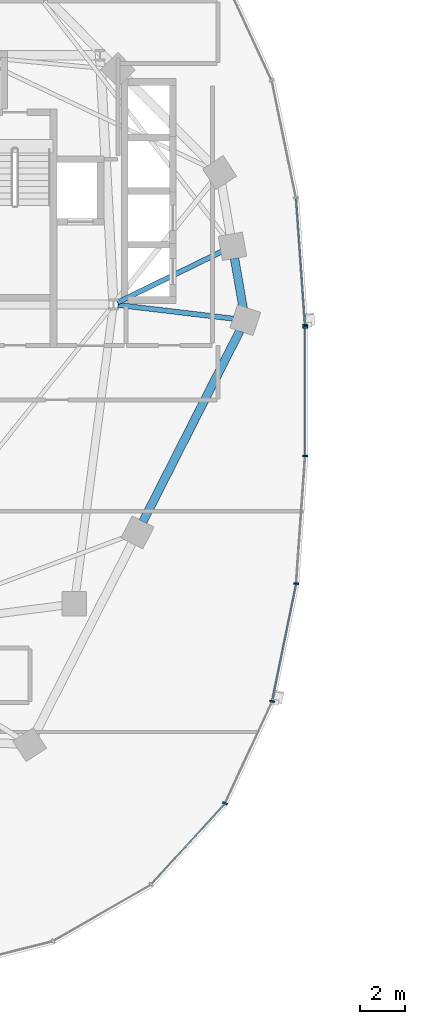
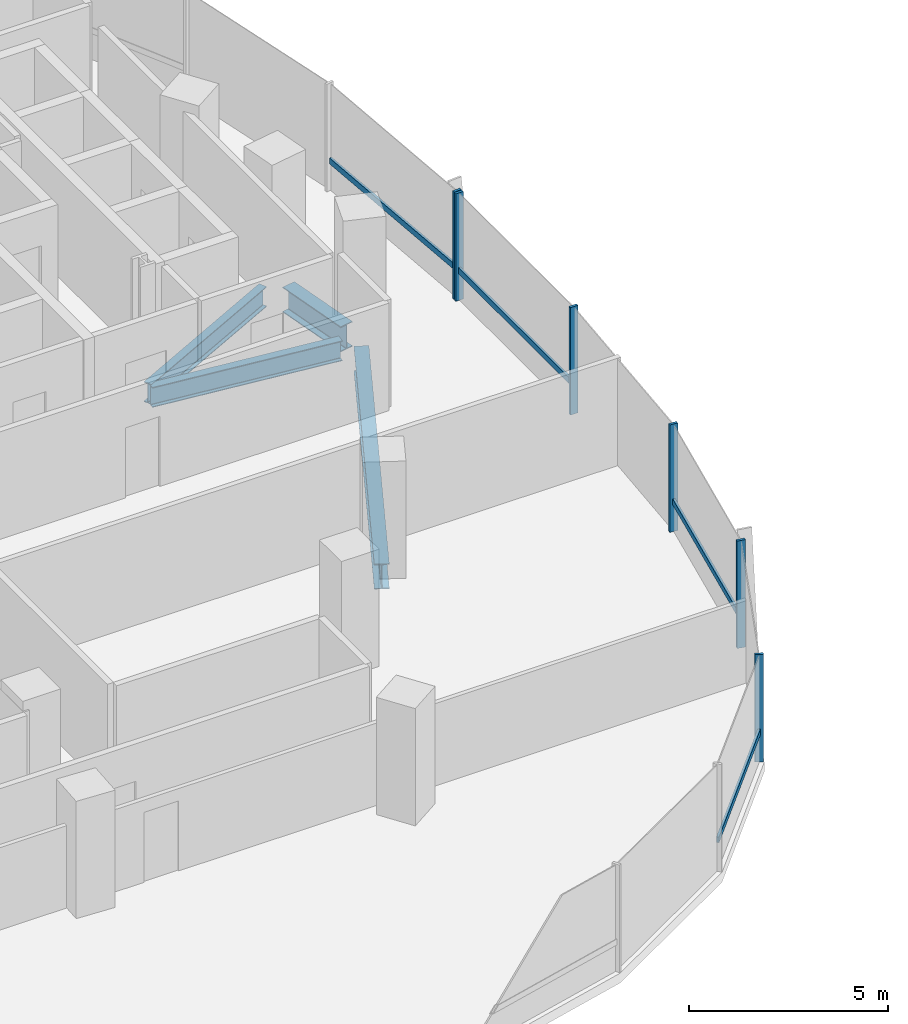
# One storey, part 3 of 21: 10 members, 4 beams, 2 elements without a shape of their own.
"""IFC4 building model written with IfcOpenShell, lengths in metres."""

from ifc_helpers import new_model, si_unit, direction, frame, origin, origin_2d, place, context, subcontext, project, spatial, rectangle, i_section, extrude, material, material_profile, profile_set, type_object, element, aggregate, save


model = new_model("IFC4")

# Units and contexts
model_context = context("Model", 3, precision=1e-05, world=origin(), true_north=direction((0.0, 1.0)))
body_context = subcontext(model_context, "Body", "Model", "MODEL_VIEW")
ifc_project = project(units=[si_unit("LENGTHUNIT", "METRE"), si_unit("AREAUNIT", "SQUARE_METRE"), si_unit("VOLUMEUNIT", "CUBIC_METRE"), si_unit("PLANEANGLEUNIT", "RADIAN"), si_unit("MASSUNIT", "GRAM", prefix="KILO"), si_unit("THERMODYNAMICTEMPERATUREUNIT", "KELVIN"), si_unit("POWERUNIT", "WATT")], contexts=[model_context])

# Site, building, storey
site_placement = place(None, origin())
site = spatial("IfcSite", under=ifc_project, at=site_placement, CompositionType="ELEMENT")
building_placement = place(site_placement, origin())
building = spatial("IfcBuilding", under=site, at=building_placement, Name="Cundina Bronze Exchange", CompositionType="ELEMENT")
storey_placement = place(building_placement, frame((0.0, 0.0, 121.39990234375)))
storey = spatial("IfcBuildingStorey", under=building, at=storey_placement, Name="L31", CompositionType="ELEMENT", Elevation=121.39990234375)

# Beams
ifc_material_1 = material(Name="Steel ASTM A992 Grade 50", Category="steel")
ifc_material_profile_1 = material_profile(ifc_material_1, i_section(OverallWidth=0.22998046875, OverallDepth=0.616943359375, WebThickness=0.01318359375, FlangeThickness=0.022216796875, FilletRadius=0.013916015625, at=origin_2d()), Name="W24X94", Category="steel")
ifc_profile_set_1 = profile_set([ifc_material_profile_1], Name="Steel ASTM A992 Grade 50")
beam_type_1 = type_object("IfcBeamType", Name="BM-FLR-W24B", PredefinedType="BEAM", material=ifc_profile_set_1)
beam_1_placement = place(storey_placement, frame((-21.247314453125, 3.8759765625, -0.6083984375), z_axis=(0.993035701683, -0.117813815752, 0.0), x_axis=(0.117813815752, 0.993035701683, 0.0)))
element("IfcBeam", 1, at=beam_1_placement, inside=storey, type_object=beam_type_1, Name="L31 Leg W Radial Floor Beam 00", PredefinedType="BEAM", context=body_context, shape_type="SweptSolid", body=[
    extrude(i_section(OverallWidth=0.22998046875, OverallDepth=0.616943359375, WebThickness=0.01318359375, FlangeThickness=0.022216796875, FilletRadius=0.013916015625, at=origin_2d()), origin(), (0.0, 0.0, 1.0), 5.19921875),
])
beam_2_placement = place(storey_placement, frame((-21.2666015625, 3.989501953125, -0.6083984375), z_axis=(0.898607246385, 0.438753936443, 0.0), x_axis=(-0.438753936443, 0.898607246385, 0.0)))
element("IfcBeam", 2, at=beam_2_placement, inside=storey, type_object=beam_type_1, Name="L31 Leg W Radial Floor Beam 01", PredefinedType="BEAM", context=body_context, shape_type="SweptSolid", body=[
    extrude(i_section(OverallWidth=0.22998046875, OverallDepth=0.616943359375, WebThickness=0.01318359375, FlangeThickness=0.022216796875, FilletRadius=0.013916015625, at=origin_2d()), origin(), (0.0, 0.0, 1.0), 5.183837890625),
])
ifc_material_profile_2 = material_profile(ifc_material_1, i_section(OverallWidth=0.381103515625, OverallDepth=0.77294921875, WebThickness=0.0166015625, FlangeThickness=0.027099609375, FilletRadius=0.01904296875, at=origin_2d()), Name="W30X173", Category="steel")
ifc_profile_set_2 = profile_set([ifc_material_profile_2], Name="Steel ASTM A992 Grade 50")
beam_type_2 = type_object("IfcBeamType", Name="BM-RING-W30", PredefinedType="USERDEFINED", material=ifc_profile_set_2)
beam_3_placement = place(storey_placement, frame((-15.642333984375, 3.72998046875, -0.6865234375), z_axis=(-0.171690078326, 0.985151012284, 0.0), x_axis=(-0.985151012284, -0.171690078326, 0.0)))
element("IfcBeam", 3, at=beam_3_placement, inside=storey, type_object=beam_type_2, Name="L31 W Perimeter Ring Girder 00", ObjectType="GIRDER", PredefinedType="USERDEFINED", context=body_context, shape_type="SweptSolid", body=[
    extrude(i_section(OverallWidth=0.381103515625, OverallDepth=0.77294921875, WebThickness=0.0166015625, FlangeThickness=0.027099609375, FilletRadius=0.01904296875, at=origin_2d()), origin(), (0.0, 0.0, 1.0), 2.273681640625),
])
beam_4_placement = place(storey_placement, frame((-20.13134765625, -5.8203125, -0.6865234375), z_axis=(0.452832332744, 0.891595692241, 0.0), x_axis=(-0.891595692241, 0.452832332744, 0.0)))
element("IfcBeam", 4, at=beam_4_placement, inside=storey, type_object=beam_type_2, Name="L31 W Perimeter Ring Girder 13", ObjectType="GIRDER", PredefinedType="USERDEFINED", context=body_context, shape_type="SweptSolid", body=[
    extrude(i_section(OverallWidth=0.381103515625, OverallDepth=0.77294921875, WebThickness=0.0166015625, FlangeThickness=0.027099609375, FilletRadius=0.01904296875, at=origin_2d()), origin(), (0.0, 0.0, 1.0), 9.578857421875),
])

# Curtain wall, member
ifc_material_2 = material(Name="Anodised Bronze Aluminium 6063-T6", Category="aluminium")
curtain_wall_type = type_object("IfcCurtainWallType", Name="CWS-TRD-MID", PredefinedType="NOTDEFINED", material=ifc_material_2)
curtain_wall_1_placement = place(storey_placement, origin())
curtain_wall_1 = element("IfcCurtainWall", 5, at=curtain_wall_1_placement, inside=storey, type_object=curtain_wall_type, Name="L31 CW-03 Curtain Wall Run CWR-L31-W1", PredefinedType="NOTDEFINED")
ifc_material_profile_3 = material_profile(ifc_material_2, rectangle(XDim=0.074951171875, YDim=0.219970703125, at=origin_2d()), Name="AL75X220", Category="aluminium")
ifc_profile_set_3 = profile_set([ifc_material_profile_3], Name="Anodised Bronze Aluminium 6063-T6")
member_type_1 = type_object("IfcMemberType", Name="CWM-MUL-220", PredefinedType="MULLION", material=ifc_profile_set_3)
member_1_placement = place(storey_placement, frame((-12.87548828125, 2.976318359375, 0.0), z_axis=(0.0, 0.0, 1.0), x_axis=(-0.070278787473, 0.997527389113, 0.0)))
member_1 = element("IfcMember", 6, at=member_1_placement, type_object=member_type_1, Name="CW-03 Mullion 1", PredefinedType="MULLION", context=body_context, shape_type="SweptSolid", body=[
    extrude(rectangle(XDim=0.074951171875, YDim=0.219970703125, at=origin_2d()), origin(), (0.0, 0.0, 1.0), 3.300048828125),
])

# Curtain wall, members
curtain_wall_2_placement = place(storey_placement, origin())
curtain_wall_2 = element("IfcCurtainWall", 7, at=curtain_wall_2_placement, inside=storey, type_object=curtain_wall_type, Name="L31 CW-03 Curtain Wall Run CWR-L31-W4", PredefinedType="NOTDEFINED")
member_2_placement = place(storey_placement, frame((-16.455810546875, -18.423583984375, 0.0), z_axis=(0.0, 0.0, 1.0), x_axis=(0.42087749791, 0.907117485088, 0.0)))
member_2 = element("IfcMember", 8, at=member_2_placement, type_object=member_type_1, Name="CW-03 Mullion 4", PredefinedType="MULLION", context=body_context, shape_type="SweptSolid", body=[
    extrude(rectangle(XDim=0.074951171875, YDim=0.219970703125, at=origin_2d()), origin(), (0.0, 0.0, 1.0), 3.300048828125),
])
member_3_placement = place(storey_placement, frame((-14.348876953125, -13.861328125, 0.0), z_axis=(0.0, 0.0, 1.0), x_axis=(0.201419845156, 0.979505000486, 0.0)))
member_3 = element("IfcMember", 9, at=member_3_placement, type_object=member_type_1, Name="CW-03 Mullion 5", PredefinedType="MULLION", context=body_context, shape_type="SweptSolid", body=[
    extrude(rectangle(XDim=0.074951171875, YDim=0.219970703125, at=origin_2d()), origin(), (0.0, 0.0, 1.0), 3.300048828125),
])
member_4_placement = place(storey_placement, frame((-13.27099609375, -8.591552734375, 0.0), z_axis=(0.0, 0.0, 1.0), x_axis=(0.070278787473, 0.997527389113, 0.0)))
member_4 = element("IfcMember", 10, at=member_4_placement, type_object=member_type_1, Name="CW-03 Mullion 6", PredefinedType="MULLION", context=body_context, shape_type="SweptSolid", body=[
    extrude(rectangle(XDim=0.074951171875, YDim=0.219970703125, at=origin_2d()), origin(), (0.0, 0.0, 1.0), 3.300048828125),
])
member_5_placement = place(storey_placement, frame((-12.8720703125, -2.880615234375, 0.0), z_axis=(0.0, 0.0, 1.0), x_axis=(0.0, 1.0, 0.0)))
member_5 = element("IfcMember", 11, at=member_5_placement, type_object=member_type_1, Name="CW-03 Mullion 7", PredefinedType="MULLION", context=body_context, shape_type="SweptSolid", body=[
    extrude(rectangle(XDim=0.074951171875, YDim=0.219970703125, at=origin_2d()), origin(), (0.0, 0.0, 1.0), 3.300048828125),
])
member_6_placement = place(storey_placement, frame((-12.8720703125, 2.880615234375, 0.0), z_axis=(0.0, 0.0, 1.0), x_axis=(0.0, 1.0, 0.0)))
member_6 = element("IfcMember", 12, at=member_6_placement, type_object=member_type_1, Name="CW-03 End Mullion", PredefinedType="MULLION", context=body_context, shape_type="SweptSolid", body=[
    extrude(rectangle(XDim=0.074951171875, YDim=0.219970703125, at=origin_2d()), origin(), (0.0, 0.0, 1.0), 3.300048828125),
])

# Member
ifc_material_profile_4 = material_profile(ifc_material_2, rectangle(XDim=0.070068359375, YDim=0.179931640625, at=origin_2d()), Name="AL70X180", Category="aluminium")
ifc_profile_set_4 = profile_set([ifc_material_profile_4], Name="Anodised Bronze Aluminium 6063-T6")
member_type_2 = type_object("IfcMemberType", Name="CWM-TRN-180", PredefinedType="USERDEFINED", material=ifc_profile_set_4)
member_7_placement = place(storey_placement, frame((-12.87841796875, 3.017333984375, 0.920166015625), z_axis=(-0.070260714471, 0.997528662246, 0.0), x_axis=(-0.997528662246, -0.070260714471, 0.0)))
member_7 = element("IfcMember", 13, at=member_7_placement, type_object=member_type_2, Name="CW-03 Spandrel Transom 1", ObjectType="TRANSOM", PredefinedType="USERDEFINED", context=body_context, shape_type="SweptSolid", body=[
    extrude(rectangle(XDim=0.070068359375, YDim=0.179931640625, at=origin_2d()), origin(), (0.0, 0.0, 1.0), 5.629150390625),
])

aggregate(curtain_wall_1, [member_1, member_7])

member_8_placement = place(storey_placement, frame((-19.73291015625, -22.027099609375, 0.920166015625), z_axis=(0.674302794847, 0.738454968743, 0.0), x_axis=(-0.738454968743, 0.674302794847, 0.0)))
member_8 = element("IfcMember", 14, at=member_8_placement, type_object=member_type_2, Name="CW-03 Spandrel Transom 3", ObjectType="TRANSOM", PredefinedType="USERDEFINED", context=body_context, shape_type="SweptSolid", body=[
    extrude(rectangle(XDim=0.070068359375, YDim=0.179931640625, at=origin_2d()), origin(), (0.0, 0.0, 1.0), 4.848388671875),
])

member_9_placement = place(storey_placement, frame((-14.340576171875, -13.821044921875, 0.920166015625), z_axis=(0.201427712708, 0.979503382615, 0.0), x_axis=(-0.979503382615, 0.201427712708, 0.0)))
member_9 = element("IfcMember", 15, at=member_9_placement, type_object=member_type_2, Name="CW-03 Spandrel Transom 5", ObjectType="TRANSOM", PredefinedType="USERDEFINED", context=body_context, shape_type="SweptSolid", body=[
    extrude(rectangle(XDim=0.070068359375, YDim=0.179931640625, at=origin_2d()), origin(), (0.0, 0.0, 1.0), 5.291748046875),
])

member_10_placement = place(storey_placement, frame((-12.8720703125, -2.839111328125, 0.920166015625), z_axis=(0.0, 1.0, 0.0), x_axis=(-1.0, 0.0, 0.0)))
member_10 = element("IfcMember", 16, at=member_10_placement, type_object=member_type_2, Name="CW-03 Spandrel Transom 7", ObjectType="TRANSOM", PredefinedType="USERDEFINED", context=body_context, shape_type="SweptSolid", body=[
    extrude(rectangle(XDim=0.070068359375, YDim=0.179931640625, at=origin_2d()), origin(), (0.0, 0.0, 1.0), 5.67822265625),
])

aggregate(curtain_wall_2, [member_8, member_2, member_3, member_9, member_4, member_5, member_6, member_10])

save(model, "model.ifc")
